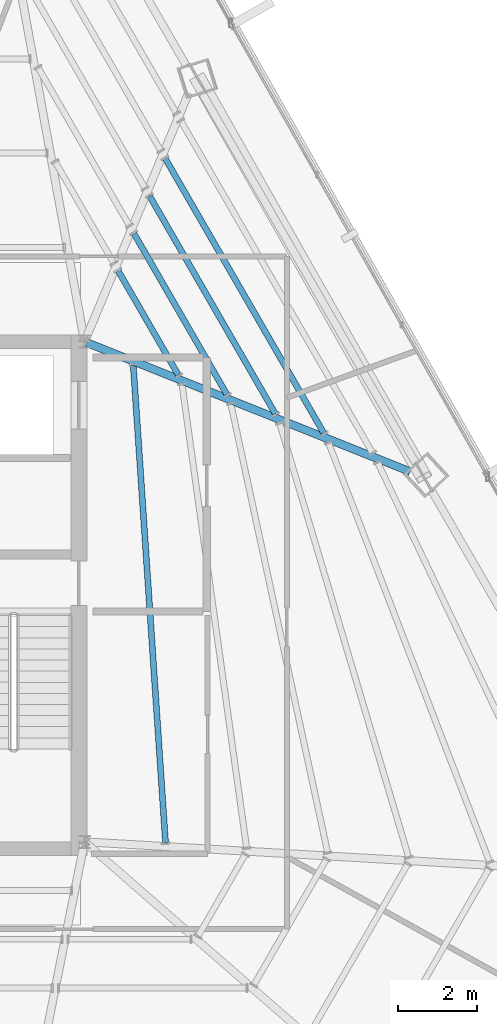
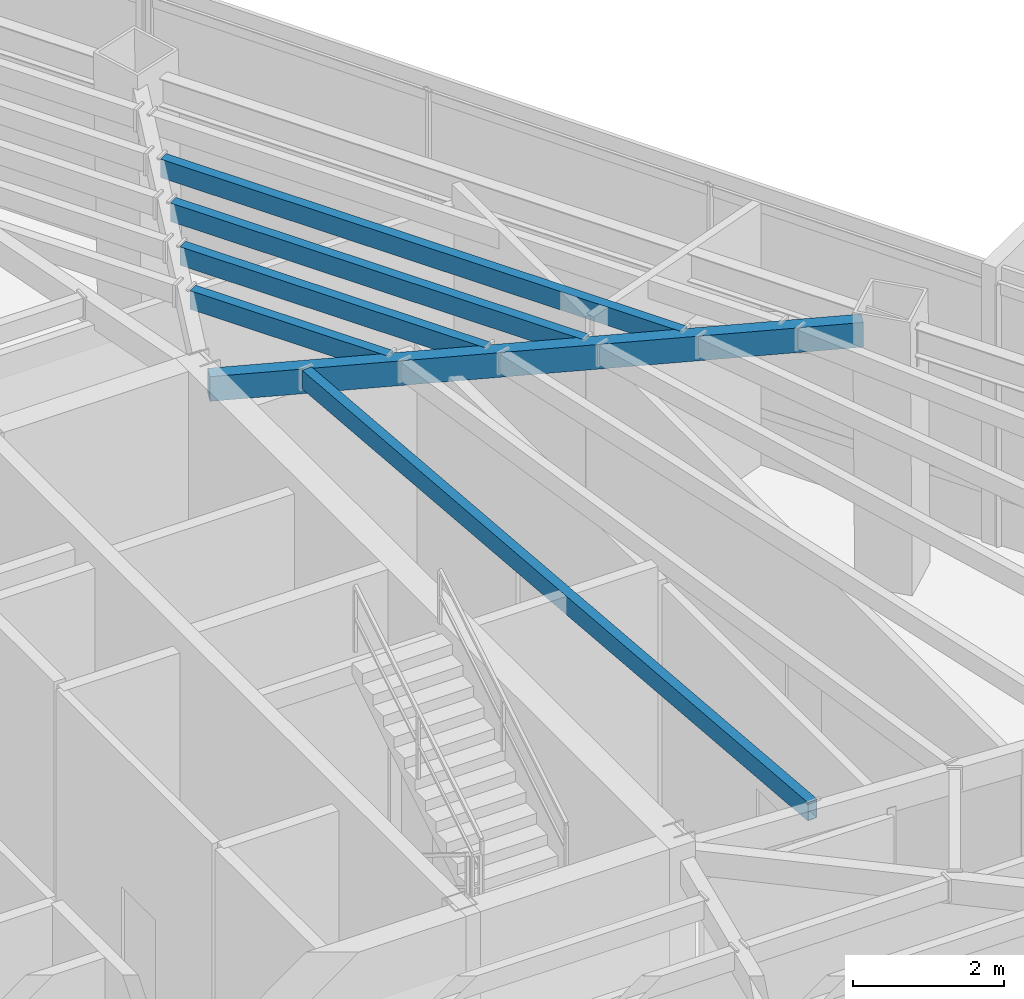
# One storey, part 21 of 37: 6 beams.
"""IFC4 building model written with IfcOpenShell, lengths in metres."""

from ifc_helpers import new_model, si_unit, direction, frame, origin, origin_2d, place, context, subcontext, project, spatial, hollow_rectangle, extrude, source, transform, mapped, material, material_profile, profile_set, type_object, type_shapes, element, save


model = new_model("IFC4")

# Units and contexts
model_context = context("Model", 3, precision=1e-05, world=origin(), true_north=direction((0.0, 1.0)))
body_context = subcontext(model_context, "Body", "Model", "MODEL_VIEW")
ifc_project = project(units=[si_unit("LENGTHUNIT", "METRE"), si_unit("AREAUNIT", "SQUARE_METRE"), si_unit("VOLUMEUNIT", "CUBIC_METRE"), si_unit("PLANEANGLEUNIT", "RADIAN"), si_unit("MASSUNIT", "GRAM", prefix="KILO")], contexts=[model_context])

# Site, building, storey
site_placement = place(None, origin())
site = spatial("IfcSite", under=ifc_project, at=site_placement, CompositionType="ELEMENT")
building_placement = place(site_placement, origin())
building = spatial("IfcBuilding", under=site, at=building_placement, Name="Caelisora Broadcast Tower", CompositionType="ELEMENT")
storey_placement = place(building_placement, frame((0.0, 0.0, 225.35009765625)))
storey = spatial("IfcBuildingStorey", under=building, at=storey_placement, Name="L59", CompositionType="ELEMENT", Elevation=225.35009765625)

# Beams
ifc_material = material(Name="Steel Grade 350 (AS/NZS 1163 C350L0)", Category="steel")
ifc_material_profile_1 = material_profile(ifc_material, hollow_rectangle(XDim=0.199951171875, YDim=0.39990234375, WallThickness=0.012451171875, at=origin_2d()), Name="Steel Grade 350 (AS/NZS 1163 C350L0)")
ifc_profile_set_1 = profile_set([ifc_material_profile_1], Name="Steel Grade 350 (AS/NZS 1163 C350L0)")
beam_type_1 = type_object("IfcBeamType", Name="PG07", PredefinedType="BEAM", material=ifc_profile_set_1)
shared_shape_1 = source(origin(), body_context, "Body", "SweptSolid", [
    extrude(hollow_rectangle(XDim=0.199951171875, YDim=0.39990234375, WallThickness=0.012451171875, at=origin_2d()), origin(), (0.0, 0.0, 1.0), 8.771240234375),
])
type_shapes(beam_type_1, [shared_shape_1])
beam_1_placement = place(storey_placement, frame((45.5556640625, 29.977783203125, 4.0498046875), z_axis=(0.928743275525, -0.370723519846, 0.0), x_axis=(0.370723519846, 0.928743275525, 0.0)))
element("IfcBeam", 1, at=beam_1_placement, inside=storey, type_object=beam_type_1, Name="L59 beam PG07", PredefinedType="BEAM", context=body_context, shape_type="MappedRepresentation", body=[
    mapped(shared_shape_1, transform((0.0, 0.0, 0.0), scale=1.0)),
])
ifc_material_profile_2 = material_profile(ifc_material, hollow_rectangle(XDim=0.14990234375, YDim=0.300048828125, WallThickness=0.010009765625, at=origin_2d()), Name="Steel Grade 350 (AS/NZS 1163 C350L0)")
ifc_profile_set_2 = profile_set([ifc_material_profile_2], Name="Steel Grade 350 (AS/NZS 1163 C350L0)")
beam_type_2 = type_object("IfcBeamType", Name="SB05", PredefinedType="JOIST", material=ifc_profile_set_2)
shared_shape_2 = source(origin(), body_context, "Body", "SweptSolid", [
    extrude(hollow_rectangle(XDim=0.14990234375, YDim=0.300048828125, WallThickness=0.010009765625, at=origin_2d()), origin(), (0.0, 0.0, 1.0), 3.024658203125),
])
beam_2_placement = place(storey_placement, frame((47.864013671875, 29.162109375, 4.099853515625), z_axis=(-0.500036864363, 0.866004119088, 0.0), x_axis=(-0.866004119088, -0.500036864363, 0.0)))
element("IfcBeam", 2, at=beam_2_placement, inside=storey, type_object=beam_type_2, Name="L59 beam SB05", PredefinedType="JOIST", context=body_context, shape_type="MappedRepresentation", body=[
    mapped(shared_shape_2, transform((0.0, 0.0, 0.0), scale=1.0)),
])
shared_shape_3 = source(origin(), body_context, "Body", "SweptSolid", [
    extrude(hollow_rectangle(XDim=0.14990234375, YDim=0.300048828125, WallThickness=0.010009765625, at=origin_2d()), origin(), (0.0, 0.0, 1.0), 4.677490234375),
])
beam_3_placement = place(storey_placement, frame((49.08544921875, 28.674560546875, 4.099853515625), z_axis=(-0.500023656998, 0.86601174498, 0.0), x_axis=(-0.86601174498, -0.500023656998, 0.0)))
element("IfcBeam", 3, at=beam_3_placement, inside=storey, type_object=beam_type_2, Name="L59 beam SB05", PredefinedType="JOIST", context=body_context, shape_type="MappedRepresentation", body=[
    mapped(shared_shape_3, transform((0.0, 0.0, 0.0), scale=1.0)),
])
shared_shape_4 = source(origin(), body_context, "Body", "SweptSolid", [
    extrude(hollow_rectangle(XDim=0.14990234375, YDim=0.300048828125, WallThickness=0.010009765625, at=origin_2d()), origin(), (0.0, 0.0, 1.0), 6.330322265625),
])
beam_4_placement = place(storey_placement, frame((50.306884765625, 28.18701171875, 4.099853515625), z_axis=(-0.500017346395, 0.866015388607, 0.0), x_axis=(-0.866015388607, -0.500017346395, 0.0)))
element("IfcBeam", 4, at=beam_4_placement, inside=storey, type_object=beam_type_2, Name="L59 beam SB05", PredefinedType="JOIST", context=body_context, shape_type="MappedRepresentation", body=[
    mapped(shared_shape_4, transform((0.0, 0.0, 0.0), scale=1.0)),
])
shared_shape_5 = source(origin(), body_context, "Body", "SweptSolid", [
    extrude(hollow_rectangle(XDim=0.14990234375, YDim=0.300048828125, WallThickness=0.010009765625, at=origin_2d()), origin(), (0.0, 0.0, 1.0), 7.983642578125),
])
beam_5_placement = place(storey_placement, frame((51.528564453125, 27.69921875, 4.099853515625), z_axis=(-0.499987164874, 0.866032814021, 0.0), x_axis=(-0.866032814021, -0.499987164874, 0.0)))
element("IfcBeam", 5, at=beam_5_placement, inside=storey, type_object=beam_type_2, Name="L59 beam SB05", PredefinedType="JOIST", context=body_context, shape_type="MappedRepresentation", body=[
    mapped(shared_shape_5, transform((0.0, 0.0, 0.0), scale=1.0)),
])
shared_shape_6 = source(origin(), body_context, "Body", "SweptSolid", [
    extrude(hollow_rectangle(XDim=0.14990234375, YDim=0.300048828125, WallThickness=0.010009765625, at=origin_2d()), origin(), (0.0, 0.0, 1.0), 12.0537109375),
])
type_shapes(beam_type_2, [shared_shape_2, shared_shape_3, shared_shape_4, shared_shape_5, shared_shape_6])
beam_6_placement = place(storey_placement, frame((47.54150390625, 17.37841796875, 4.099853515625), z_axis=(-0.067406229039, 0.997725613727, 0.0), x_axis=(-0.997725613727, -0.067406229039, 0.0)))
element("IfcBeam", 6, at=beam_6_placement, inside=storey, type_object=beam_type_2, Name="L59 beam SB05", PredefinedType="JOIST", context=body_context, shape_type="MappedRepresentation", body=[
    mapped(shared_shape_6, transform((0.0, 0.0, 0.0), scale=1.0)),
])

save(model, "model.ifc")
